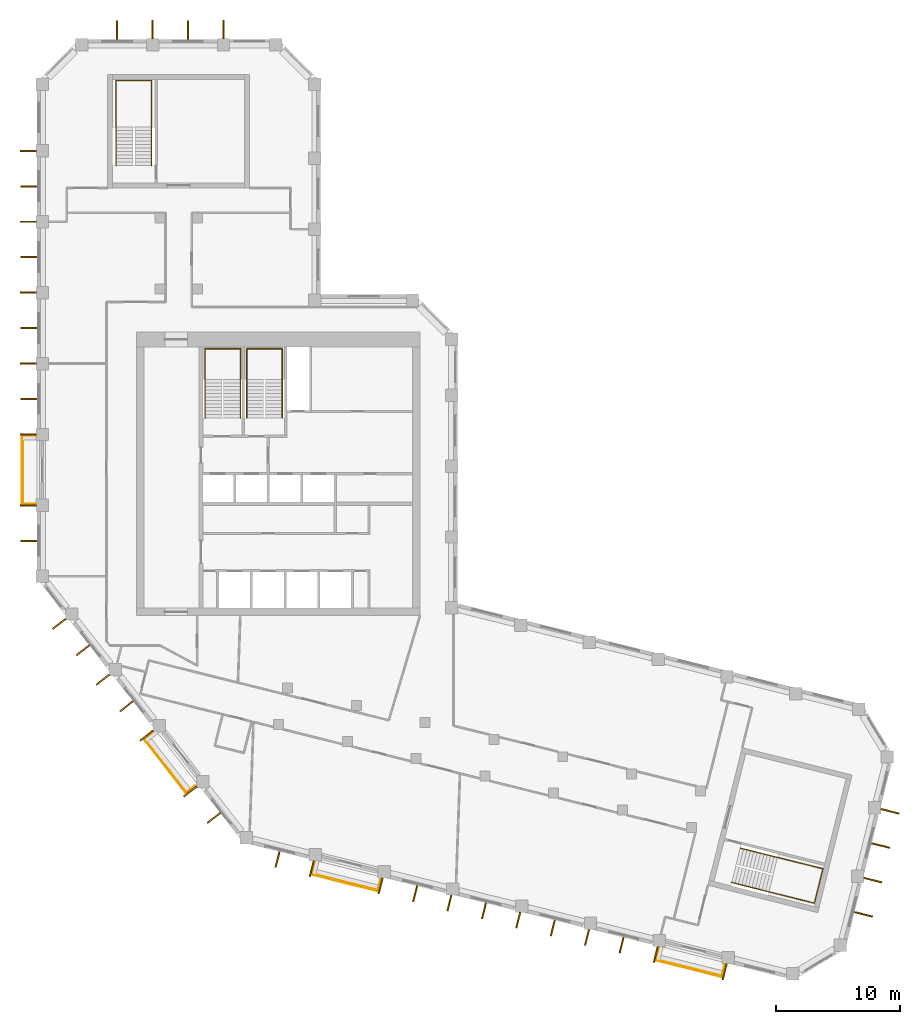
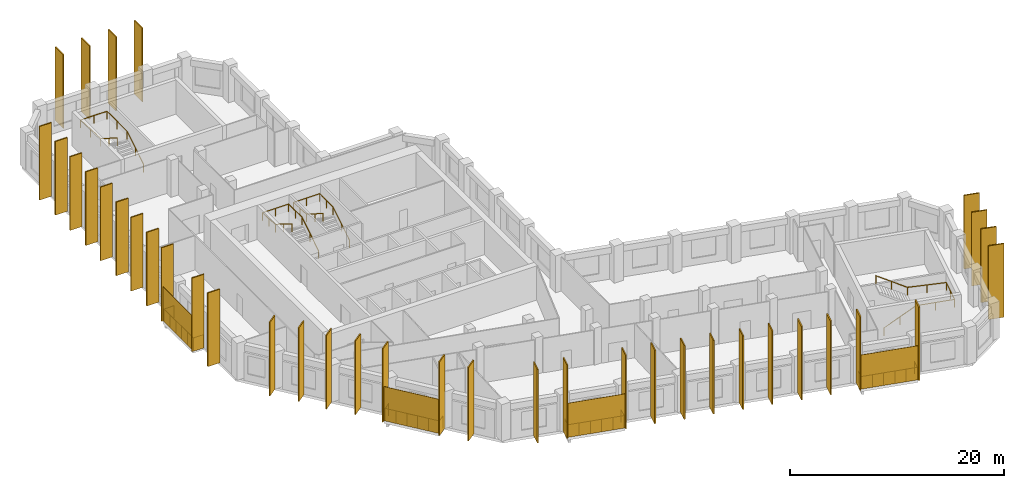
# One storey, part 9 of 9: 42 shading devices, 8 railings.
"""IFC4 building model written with IfcOpenShell, lengths in metres."""

from ifc_helpers import new_model, si_unit, direction, frame, origin, origin_2d, place, context, subcontext, project, spatial, rectangle, circle, extrude, material, layer, layer_set, type_object, element, save


model = new_model("IFC4")

# Units and contexts
model_context = context("Model", 3, precision=1e-05, world=origin(), true_north=direction((0.0, 1.0)))
body_context = subcontext(model_context, "Body", "Model", "MODEL_VIEW")
ifc_project = project(units=[si_unit("LENGTHUNIT", "METRE"), si_unit("AREAUNIT", "SQUARE_METRE"), si_unit("VOLUMEUNIT", "CUBIC_METRE"), si_unit("PLANEANGLEUNIT", "RADIAN"), si_unit("MASSUNIT", "GRAM", prefix="KILO")], contexts=[model_context])

# Site, building, storey
site_placement = place(None, origin())
site = spatial("IfcSite", under=ifc_project, at=site_placement, CompositionType="ELEMENT")
building_placement = place(site_placement, origin())
building = spatial("IfcBuilding", under=site, at=building_placement, Name="Meshkara Civic Tower", CompositionType="ELEMENT")
storey_placement = place(building_placement, frame((0.0, 0.0, 340.199951171875)))
storey = spatial("IfcBuildingStorey", under=building, at=storey_placement, Name="L78", CompositionType="ELEMENT", Elevation=340.199951171875)

# Railings
ifc_material_1 = material(Name="Steel S355", Category="steel")
railing_type_1 = type_object("IfcRailingType", Name="BALUSTRADE GUARD 1400", PredefinedType="BALUSTRADE", material=ifc_material_1)
railing_1_placement = place(storey_placement, frame((-0.050048828125, 28.534912109375, 0.0)))
element("IfcRailing", 1, at=railing_1_placement, inside=storey, type_object=railing_type_1, Name="Balcony guard", PredefinedType="BALUSTRADE", context=body_context, shape_type="SweptSolid", body=[
    extrude(circle(Radius=0.02392578125, at=origin_2d()), frame((0.0, 0.0, 1.3759765625), z_axis=(-1.0, 0.0, 0.0), x_axis=(0.0, -1.0, 0.0)), (0.0, 0.0, 1.0), 1.06005859375),
    extrude(circle(Radius=0.02392578125, at=origin_2d()), frame((-1.06005859375, 0.0, 1.3759765625), z_axis=(0.0, -1.0, 0.0), x_axis=(1.0, 0.0, 0.0)), (0.0, 0.0, 1.0), 5.4599609375),
    extrude(circle(Radius=0.02392578125, at=origin_2d()), frame((-1.06005859375, -5.4599609375, 1.3759765625), z_axis=(1.0, 0.0, 0.0), x_axis=(0.0, 1.0, 0.0)), (0.0, 0.0, 1.0), 1.06005859375),
    extrude(circle(Radius=0.02099609375, at=origin_2d()), origin(), (0.0, 0.0, 1.0), 1.351806640625),
    extrude(circle(Radius=0.02099609375, at=origin_2d()), frame((-1.06005859375, 0.0, 0.0)), (0.0, 0.0, 1.0), 1.351806640625),
    extrude(circle(Radius=0.02099609375, at=origin_2d()), frame((-1.06005859375, -1.092041015625, 0.0)), (0.0, 0.0, 1.0), 1.351806640625),
    extrude(circle(Radius=0.02099609375, at=origin_2d()), frame((-1.06005859375, -2.18408203125, 0.0)), (0.0, 0.0, 1.0), 1.351806640625),
    extrude(circle(Radius=0.02099609375, at=origin_2d()), frame((-1.06005859375, -3.27587890625, 0.0)), (0.0, 0.0, 1.0), 1.351806640625),
    extrude(circle(Radius=0.02099609375, at=origin_2d()), frame((-1.06005859375, -4.367919921875, 0.0)), (0.0, 0.0, 1.0), 1.351806640625),
    extrude(circle(Radius=0.02099609375, at=origin_2d()), frame((-1.06005859375, -5.4599609375, 0.0)), (0.0, 0.0, 1.0), 1.351806640625),
    extrude(circle(Radius=0.02099609375, at=origin_2d()), frame((0.0, -5.4599609375, 0.0)), (0.0, 0.0, 1.0), 1.351806640625),
])
railing_2_placement = place(storey_placement, frame((9.35400390625, 4.718017578125, 0.0)))
element("IfcRailing", 2, at=railing_2_placement, inside=storey, type_object=railing_type_1, Name="Balcony guard", PredefinedType="BALUSTRADE", context=body_context, shape_type="SweptSolid", body=[
    extrude(circle(Radius=0.02392578125, at=origin_2d()), frame((0.0, 0.0, 1.3759765625), z_axis=(-0.788063205069, -0.61559433462, 0.0), x_axis=(0.61559433462, -0.788063205069, 0.0)), (0.0, 0.0, 1.0), 0.85791015625),
    extrude(circle(Radius=0.02392578125, at=origin_2d()), frame((-0.676025390625, -0.528076171875, 1.3759765625), z_axis=(0.615660530481, -0.788011491799, 0.0), x_axis=(0.788011491799, 0.615660530481, 0.0)), (0.0, 0.0, 1.0), 5.459228515625),
    extrude(circle(Radius=0.02392578125, at=origin_2d()), frame((2.68505859375, -4.830078125, 1.3759765625), z_axis=(0.788063205069, 0.61559433462, 0.0), x_axis=(-0.61559433462, 0.788063205069, 0.0)), (0.0, 0.0, 1.0), 0.85791015625),
    extrude(circle(Radius=0.02099609375, at=origin_2d()), origin(), (0.0, 0.0, 1.0), 1.351806640625),
    extrude(circle(Radius=0.02099609375, at=origin_2d()), frame((-0.676025390625, -0.528076171875, 0.0)), (0.0, 0.0, 1.0), 1.351806640625),
    extrude(circle(Radius=0.02099609375, at=origin_2d()), frame((-0.00390625, -1.388427734375, 0.0)), (0.0, 0.0, 1.0), 1.351806640625),
    extrude(circle(Radius=0.02099609375, at=origin_2d()), frame((0.66845703125, -2.248779296875, 0.0)), (0.0, 0.0, 1.0), 1.351806640625),
    extrude(circle(Radius=0.02099609375, at=origin_2d()), frame((1.340576171875, -3.109375, 0.0)), (0.0, 0.0, 1.0), 1.351806640625),
    extrude(circle(Radius=0.02099609375, at=origin_2d()), frame((2.012939453125, -3.9697265625, 0.0)), (0.0, 0.0, 1.0), 1.351806640625),
    extrude(circle(Radius=0.02099609375, at=origin_2d()), frame((2.68505859375, -4.830078125, 0.0)), (0.0, 0.0, 1.0), 1.351806640625),
    extrude(circle(Radius=0.02099609375, at=origin_2d()), frame((3.361083984375, -4.302001953125, 0.0)), (0.0, 0.0, 1.0), 1.351806640625),
])
railing_3_placement = place(storey_placement, frame((22.35205078125, -5.73388671875, 0.0)))
element("IfcRailing", 3, at=railing_3_placement, inside=storey, type_object=railing_type_1, Name="Balcony guard", PredefinedType="BALUSTRADE", context=body_context, shape_type="SweptSolid", body=[
    extrude(circle(Radius=0.02392578125, at=origin_2d()), frame((0.0, 0.0, 1.3759765625), z_axis=(-0.241993877266, -0.970277776395, 0.0), x_axis=(0.970277776395, -0.241993877266, 0.0)), (0.0, 0.0, 1.0), 0.954345703125),
    extrude(circle(Radius=0.02392578125, at=origin_2d()), frame((-0.23095703125, -0.926025390625, 1.3759765625), z_axis=(0.970321130255, -0.241819983006, 0.0), x_axis=(0.241819983006, 0.970321130255, 0.0)), (0.0, 0.0, 1.0), 5.458984375),
    extrude(circle(Radius=0.02392578125, at=origin_2d()), frame((5.06591796875, -2.24609375, 1.3759765625), z_axis=(0.242234364289, 0.970217765637, 0.0), x_axis=(-0.970217765637, 0.242234364289, 0.0)), (0.0, 0.0, 1.0), 0.953369140625),
    extrude(circle(Radius=0.02099609375, at=origin_2d()), origin(), (0.0, 0.0, 1.0), 1.351806640625),
    extrude(circle(Radius=0.02099609375, at=origin_2d()), frame((-0.23095703125, -0.926025390625, 0.0)), (0.0, 0.0, 1.0), 1.351806640625),
    extrude(circle(Radius=0.02099609375, at=origin_2d()), frame((0.828369140625, -1.18994140625, 0.0)), (0.0, 0.0, 1.0), 1.351806640625),
    extrude(circle(Radius=0.02099609375, at=origin_2d()), frame((1.8876953125, -1.4541015625, 0.0)), (0.0, 0.0, 1.0), 1.351806640625),
    extrude(circle(Radius=0.02099609375, at=origin_2d()), frame((2.947265625, -1.718017578125, 0.0)), (0.0, 0.0, 1.0), 1.351806640625),
    extrude(circle(Radius=0.02099609375, at=origin_2d()), frame((4.006591796875, -1.982177734375, 0.0)), (0.0, 0.0, 1.0), 1.351806640625),
    extrude(circle(Radius=0.02099609375, at=origin_2d()), frame((5.06591796875, -2.24609375, 0.0)), (0.0, 0.0, 1.0), 1.351806640625),
    extrude(circle(Radius=0.02099609375, at=origin_2d()), frame((5.296875, -1.321044921875, 0.0)), (0.0, 0.0, 1.0), 1.351806640625),
])
railing_4_placement = place(storey_placement, frame((50.0048828125, -12.62890625, 0.0)))
element("IfcRailing", 4, at=railing_4_placement, inside=storey, type_object=railing_type_1, Name="Balcony guard", PredefinedType="BALUSTRADE", context=body_context, shape_type="SweptSolid", body=[
    extrude(circle(Radius=0.02392578125, at=origin_2d()), frame((0.0, 0.0, 1.3759765625), z_axis=(-0.242234364289, -0.970217765637, 0.0), x_axis=(0.970217765637, -0.242234364289, 0.0)), (0.0, 0.0, 1.0), 0.953369140625),
    extrude(circle(Radius=0.02392578125, at=origin_2d()), frame((-0.23095703125, -0.925048828125, 1.3759765625), z_axis=(0.970292231073, -0.24193591366, 0.0), x_axis=(0.24193591366, 0.970292231073, 0.0)), (0.0, 0.0, 1.0), 5.460205078125),
    extrude(circle(Radius=0.02392578125, at=origin_2d()), frame((5.067138671875, -2.24609375, 1.3759765625), z_axis=(0.242234364289, 0.970217765637, 0.0), x_axis=(-0.970217765637, 0.242234364289, 0.0)), (0.0, 0.0, 1.0), 0.953369140625),
    extrude(circle(Radius=0.02099609375, at=origin_2d()), origin(), (0.0, 0.0, 1.0), 1.351806640625),
    extrude(circle(Radius=0.02099609375, at=origin_2d()), frame((-0.23095703125, -0.925048828125, 0.0)), (0.0, 0.0, 1.0), 1.351806640625),
    extrude(circle(Radius=0.02099609375, at=origin_2d()), frame((0.82861328125, -1.189208984375, 0.0)), (0.0, 0.0, 1.0), 1.351806640625),
    extrude(circle(Radius=0.02099609375, at=origin_2d()), frame((1.88818359375, -1.453369140625, 0.0)), (0.0, 0.0, 1.0), 1.351806640625),
    extrude(circle(Radius=0.02099609375, at=origin_2d()), frame((2.947998046875, -1.7177734375, 0.0)), (0.0, 0.0, 1.0), 1.351806640625),
    extrude(circle(Radius=0.02099609375, at=origin_2d()), frame((4.007568359375, -1.98193359375, 0.0)), (0.0, 0.0, 1.0), 1.351806640625),
    extrude(circle(Radius=0.02099609375, at=origin_2d()), frame((5.067138671875, -2.24609375, 0.0)), (0.0, 0.0, 1.0), 1.351806640625),
    extrude(circle(Radius=0.02099609375, at=origin_2d()), frame((5.298095703125, -1.321044921875, 0.0)), (0.0, 0.0, 1.0), 1.351806640625),
])

# Shading devices
ifc_material_2 = material(Name="Bronze anodised aluminium", Category="aluminium")
ifc_layer_1 = layer(ifc_material_2, 0.1201171875)
ifc_layer_set_1 = layer_set([ifc_layer_1], Name="BRONZE FIN 1300")
shading_device_type_1 = type_object("IfcShadingDeviceType", Name="BRONZE FIN 1300", PredefinedType="USERDEFINED", material=ifc_layer_set_1)
for number, where, z_axis, x_axis, name in (
    (5, (-0.699951171875, 51.455078125, 0.0), (0.0, 0.0, 1.0), (0.0, -1.0, 0.0), "Fin"),
    (6, (-0.64990234375, 48.60498046875, 0.0), (0.0, 0.0, 1.0), (0.0, -1.0, 0.0), "Fin"),
    (7, (-0.699951171875, 45.7548828125, 0.0), (0.0, 0.0, 1.0), (0.0, -1.0, 0.0), "Fin"),
    (8, (-0.64990234375, 42.905029296875, 0.0), (0.0, 0.0, 1.0), (0.0, -1.0, 0.0), "Fin"),
    (9, (-0.699951171875, 40.054931640625, 0.0), (0.0, 0.0, 1.0), (0.0, -1.0, 0.0), "Fin"),
    (10, (-0.64990234375, 37.205078125, 0.0), (0.0, 0.0, 1.0), (0.0, -1.0, 0.0), "Fin"),
    (11, (-0.699951171875, 34.35498046875, 0.0), (0.0, 0.0, 1.0), (0.0, -1.0, 0.0), "Fin"),
    (12, (-0.64990234375, 31.5048828125, 0.0), (0.0, 0.0, 1.0), (0.0, -1.0, 0.0), "Fin"),
    (13, (-0.699951171875, 28.655029296875, 0.0), (0.0, 0.0, 1.0), (0.0, -1.0, 0.0), "Fin"),
    (14, (-0.699951171875, 22.955078125, 0.0), (0.0, 0.0, 1.0), (0.0, -1.0, 0.0), "Fin"),
    (15, (-0.64990234375, 20.10498046875, 0.0), (0.0, 0.0, 1.0), (0.0, -1.0, 0.0), "Fin"),
    (16, (1.802001953125, 13.43798828125, 0.0), (0.0, 0.0, 1.0), (0.615661475326, -0.788010753607, 0.0), "Fin"),
    (17, (3.701904296875, 11.305908203125, 0.0), (0.0, 0.0, 1.0), (0.615661475326, -0.788010753607, 0.0), "Fin"),
    (18, (5.31103515625, 8.946044921875, 0.0), (0.0, 0.0, 1.0), (0.615661475326, -0.788010753607, 0.0), "Fin"),
    (19, (7.2109375, 6.81396484375, 0.0), (0.0, 0.0, 1.0), (0.615661475326, -0.788010753607, 0.0), "Fin"),
    (20, (8.821044921875, 4.4541015625, 0.0), (0.0, 0.0, 1.0), (0.615661475326, -0.788010753607, 0.0), "Fin"),
    (21, (12.330078125, -0.037109375, 0.0), (0.0, 0.0, 1.0), (0.615661475326, -0.788010753607, 0.0), "Fin"),
    (22, (14.22998046875, -2.1689453125, 0.0), (0.0, 0.0, 1.0), (0.615661475326, -0.788010753607, 0.0), "Fin"),
    (23, (19.35009765625, -5.4951171875, 0.0), (0.0, 0.0, 1.0), (0.970295726276, -0.2419218956, 0.0), "Fin"),
    (24, (22.10009765625, -6.248046875, 0.0), (0.0, 0.0, 1.0), (0.970295726276, -0.2419218956, 0.0), "Fin"),
    (25, (27.6298828125, -7.626953125, 0.0), (0.0, 0.0, 1.0), (0.970295726276, -0.2419218956, 0.0), "Fin"),
    (26, (30.410888671875, -8.2529296875, 0.0), (0.0, 0.0, 1.0), (0.970295726276, -0.2419218956, 0.0), "Fin"),
    (27, (33.160888671875, -9.006103515625, 0.0), (0.0, 0.0, 1.0), (0.970295726276, -0.2419218956, 0.0), "Fin"),
    (28, (35.94189453125, -9.632080078125, 0.0), (0.0, 0.0, 1.0), (0.970295726276, -0.2419218956, 0.0), "Fin"),
    (29, (38.69189453125, -10.385009765625, 0.0), (0.0, 0.0, 1.0), (0.970295726276, -0.2419218956, 0.0), "Fin"),
    (30, (41.472900390625, -11.010986328125, 0.0), (0.0, 0.0, 1.0), (0.970295726276, -0.2419218956, 0.0), "Fin"),
    (31, (44.221923828125, -11.763916015625, 0.0), (0.0, 0.0, 1.0), (0.970295726276, -0.2419218956, 0.0), "Fin"),
    (32, (47.0029296875, -12.388916015625, 0.0), (0.0, 0.0, 1.0), (0.970295726276, -0.2419218956, 0.0), "Fin"),
    (33, (49.7529296875, -13.14306640625, 0.0), (0.0, 0.0, 1.0), (0.970295726276, -0.2419218956, 0.0), "Fin"),
    (34, (55.283935546875, -14.52099609375, 0.0), (0.0, 0.0, 1.0), (0.970295726276, -0.2419218956, 0.0), "Fin"),
):
    element("IfcShadingDevice", number, at=place(storey_placement, frame(where, z_axis=z_axis, x_axis=x_axis)), inside=storey, type_object=shading_device_type_1, Name=name, ObjectType="FIN", PredefinedType="USERDEFINED", context=body_context, shape_type="SweptSolid", body=[
        extrude(rectangle(XDim=0.1201171875, YDim=1.300048828125, at=origin_2d()), origin(), (0.0, 0.0, 1.0), 8.39990234375),
    ])
ifc_material_3 = material(Name="Bronze anodised aluminium", Category="aluminium")
ifc_layer_2 = layer(ifc_material_3, 0.1201171875)
ifc_layer_set_2 = layer_set([ifc_layer_2], Name="BRONZE FIN 1500")
shading_device_type_2 = type_object("IfcShadingDeviceType", Name="BRONZE FIN 1500", PredefinedType="USERDEFINED", material=ifc_layer_set_2)
for number, where, z_axis, x_axis, name in (
    (35, (15.006103515625, 61.219970703125, 0.0), (0.0, 0.0, 1.0), (-1.0, 0.0, 0.0), "Fin"),
    (36, (12.156005859375, 61.169921875, 0.0), (0.0, 0.0, 1.0), (-1.0, 0.0, 0.0), "Fin"),
    (37, (9.305908203125, 61.219970703125, 0.0), (0.0, 0.0, 1.0), (-1.0, 0.0, 0.0), "Fin"),
    (38, (6.4560546875, 61.169921875, 0.0), (0.0, 0.0, 1.0), (-1.0, 0.0, 0.0), "Fin"),
    (39, (66.445068359375, -9.912109375, 0.0), (0.0, 0.0, 1.0), (0.241938830418, 0.970291503795, 0.0), "Fin"),
    (40, (67.197998046875, -7.162109375, 0.0), (0.0, 0.0, 1.0), (0.241938830418, 0.970291503795, 0.0), "Fin"),
    (41, (67.823974609375, -4.381103515625, 0.0), (0.0, 0.0, 1.0), (0.241938830418, 0.970291503795, 0.0), "Fin"),
    (42, (68.576904296875, -1.632080078125, 0.0), (0.0, 0.0, 1.0), (0.241938830418, 0.970291503795, 0.0), "Fin"),
):
    element("IfcShadingDevice", number, at=place(storey_placement, frame(where, z_axis=z_axis, x_axis=x_axis)), inside=storey, type_object=shading_device_type_2, Name=name, ObjectType="FIN", PredefinedType="USERDEFINED", context=body_context, shape_type="SweptSolid", body=[
        extrude(rectangle(XDim=0.1201171875, YDim=1.5, at=origin_2d()), origin(), (0.0, 0.0, 1.0), 8.39990234375),
    ])
ifc_material_4 = material(Name="Perforated bronze anodised aluminium sheet", Category="aluminium")
ifc_layer_3 = layer(ifc_material_4, 0.0400390625)
ifc_layer_set_3 = layer_set([ifc_layer_3], Name="PERFORATED BRONZE SCREEN")
shading_device_type_3 = type_object("IfcShadingDeviceType", Name="PERFORATED BRONZE SCREEN", PredefinedType="USERDEFINED", material=ifc_layer_set_3)
shading_device_1_placement = place(storey_placement, frame((-1.179931640625, 25.804931640625, 0.0), z_axis=(0.0, 0.0, 1.0), x_axis=(0.0, -1.0, 0.0)))
element("IfcShadingDevice", 43, at=shading_device_1_placement, inside=storey, type_object=shading_device_type_3, Name="Balcony screen", ObjectType="SCREEN", PredefinedType="USERDEFINED", context=body_context, shape_type="SweptSolid", body=[
    extrude(rectangle(XDim=5.580078125, YDim=0.0400390625, at=origin_2d()), origin(), (0.0, 0.0, 1.0), 3.89990234375),
])
for number, where, z_axis, x_axis, name in (
    (44, (10.302978515625, 1.99609375, 0.0), (0.0, 0.0, 1.0), (0.615661475326, -0.788010753607, 0.0), "Balcony screen"),
    (45, (24.7529296875, -7.387939453125, 0.0), (0.0, 0.0, 1.0), (0.970295726276, -0.2419218956, 0.0), "Balcony screen"),
):
    element("IfcShadingDevice", number, at=place(storey_placement, frame(where, z_axis=z_axis, x_axis=x_axis)), inside=storey, type_object=shading_device_type_3, Name=name, ObjectType="SCREEN", PredefinedType="USERDEFINED", context=body_context, shape_type="SweptSolid", body=[
        extrude(rectangle(XDim=5.5791015625, YDim=0.0400390625, at=origin_2d()), origin(), (0.0, 0.0, 1.0), 3.89990234375),
    ])
shading_device_2_placement = place(storey_placement, frame((52.406005859375, -14.282958984375, 0.0), z_axis=(0.0, 0.0, 1.0), x_axis=(0.970295726276, -0.2419218956, 0.0)))
element("IfcShadingDevice", 46, at=shading_device_2_placement, inside=storey, type_object=shading_device_type_3, Name="Balcony screen", ObjectType="SCREEN", PredefinedType="USERDEFINED", context=body_context, shape_type="SweptSolid", body=[
    extrude(rectangle(XDim=5.580078125, YDim=0.0400390625, at=origin_2d()), origin(), (0.0, 0.0, 1.0), 3.89990234375),
])

# Railings
ifc_material_5 = material(Name="Steel handrail", Category="steel")
railing_type_2 = type_object("IfcRailingType", Name="Stair handrail 900", PredefinedType="HANDRAIL", material=ifc_material_5)
railing_5_placement = place(storey_placement, frame((16.375, 30.0, 0.175048828125)))
element("IfcRailing", 47, at=railing_5_placement, inside=storey, type_object=railing_type_2, Name="L78 ST1 stair handrail 1", PredefinedType="HANDRAIL", context=body_context, shape_type="SweptSolid", body=[
    extrude(circle(Radius=0.02392578125, at=origin_2d()), frame((0.0, 0.0, 0.8759765625), z_axis=(0.0, 0.847998304005, 0.529998940003), x_axis=(-1.0, 0.0, 0.0)), (0.0, 0.0, 1.0), 3.632080078125),
    extrude(circle(Radius=0.02392578125, at=origin_2d()), frame((0.0, 3.080078125, 2.80078125), z_axis=(0.0, 1.0, 0.0), x_axis=(-1.0, 0.0, 0.0)), (0.0, 0.0, 1.0), 2.469970703125),
    extrude(circle(Radius=0.02392578125, at=origin_2d()), frame((0.0, 5.550048828125, 2.80078125), z_axis=(-1.0, 0.0, 0.0), x_axis=(0.0, -1.0, 0.0)), (0.0, 0.0, 1.0), 2.85009765625),
    extrude(circle(Radius=0.02392578125, at=origin_2d()), frame((-2.85009765625, 5.550048828125, 2.80078125), z_axis=(0.0, -0.997498084828, 0.070693498747), x_axis=(1.0, 0.0, 0.0)), (0.0, 0.0, 1.0), 2.47607421875),
    extrude(circle(Radius=0.02392578125, at=origin_2d()), frame((-2.85009765625, 3.080078125, 2.97607421875), z_axis=(0.0, -0.848028513186, 0.529950602248), x_axis=(1.0, 0.0, 0.0)), (0.0, 0.0, 1.0), 3.632080078125),
    extrude(circle(Radius=0.02099609375, at=origin_2d()), origin(), (0.0, 0.0, 1.0), 0.851806640625),
    extrude(circle(Radius=0.02099609375, at=origin_2d()), frame((0.0, 1.5400390625, 0.96240234375)), (0.0, 0.0, 1.0), 0.851806640625),
    extrude(circle(Radius=0.02099609375, at=origin_2d()), frame((0.0, 3.080078125, 1.925048828125)), (0.0, 0.0, 1.0), 0.851806640625),
    extrude(circle(Radius=0.02099609375, at=origin_2d()), frame((0.0, 4.31494140625, 1.925048828125)), (0.0, 0.0, 1.0), 0.851806640625),
    extrude(circle(Radius=0.02099609375, at=origin_2d()), frame((0.0, 5.550048828125, 1.925048828125)), (0.0, 0.0, 1.0), 0.851806640625),
    extrude(circle(Radius=0.02099609375, at=origin_2d()), frame((-1.425048828125, 5.550048828125, 1.925048828125)), (0.0, 0.0, 1.0), 0.851806640625),
    extrude(circle(Radius=0.02099609375, at=origin_2d()), frame((-2.85009765625, 5.550048828125, 1.925048828125)), (0.0, 0.0, 1.0), 0.851806640625),
    extrude(circle(Radius=0.02099609375, at=origin_2d()), frame((-2.85009765625, 4.31494140625, 2.0126953125)), (0.0, 0.0, 1.0), 0.851806640625),
    extrude(circle(Radius=0.02099609375, at=origin_2d()), frame((-2.85009765625, 3.080078125, 2.10009765625)), (0.0, 0.0, 1.0), 0.851806640625),
    extrude(circle(Radius=0.02099609375, at=origin_2d()), frame((-2.85009765625, 1.5400390625, 3.0625)), (0.0, 0.0, 1.0), 0.851806640625),
    extrude(circle(Radius=0.02099609375, at=origin_2d()), frame((-2.85009765625, 0.0, 4.02490234375)), (0.0, 0.0, 1.0), 0.851806640625),
])
railing_6_placement = place(storey_placement, frame((19.72509765625, 30.0, 0.175048828125)))
element("IfcRailing", 48, at=railing_6_placement, inside=storey, type_object=railing_type_2, Name="L78 ST2 stair handrail 1", PredefinedType="HANDRAIL", context=body_context, shape_type="SweptSolid", body=[
    extrude(circle(Radius=0.02392578125, at=origin_2d()), frame((0.0, 0.0, 0.8759765625), z_axis=(0.0, 0.847998304005, 0.529998940003), x_axis=(-1.0, 0.0, 0.0)), (0.0, 0.0, 1.0), 3.632080078125),
    extrude(circle(Radius=0.02392578125, at=origin_2d()), frame((0.0, 3.080078125, 2.80078125), z_axis=(0.0, 1.0, 0.0), x_axis=(-1.0, 0.0, 0.0)), (0.0, 0.0, 1.0), 2.469970703125),
    extrude(circle(Radius=0.02392578125, at=origin_2d()), frame((0.0, 5.550048828125, 2.80078125), z_axis=(-1.0, 0.0, 0.0), x_axis=(0.0, -1.0, 0.0)), (0.0, 0.0, 1.0), 2.85009765625),
    extrude(circle(Radius=0.02392578125, at=origin_2d()), frame((-2.85009765625, 5.550048828125, 2.80078125), z_axis=(0.0, -0.997498084828, 0.070693498747), x_axis=(1.0, 0.0, 0.0)), (0.0, 0.0, 1.0), 2.47607421875),
    extrude(circle(Radius=0.02392578125, at=origin_2d()), frame((-2.85009765625, 3.080078125, 2.97607421875), z_axis=(0.0, -0.848028513186, 0.529950602248), x_axis=(1.0, 0.0, 0.0)), (0.0, 0.0, 1.0), 3.632080078125),
    extrude(circle(Radius=0.02099609375, at=origin_2d()), origin(), (0.0, 0.0, 1.0), 0.851806640625),
    extrude(circle(Radius=0.02099609375, at=origin_2d()), frame((0.0, 1.5400390625, 0.96240234375)), (0.0, 0.0, 1.0), 0.851806640625),
    extrude(circle(Radius=0.02099609375, at=origin_2d()), frame((0.0, 3.080078125, 1.925048828125)), (0.0, 0.0, 1.0), 0.851806640625),
    extrude(circle(Radius=0.02099609375, at=origin_2d()), frame((0.0, 4.31494140625, 1.925048828125)), (0.0, 0.0, 1.0), 0.851806640625),
    extrude(circle(Radius=0.02099609375, at=origin_2d()), frame((0.0, 5.550048828125, 1.925048828125)), (0.0, 0.0, 1.0), 0.851806640625),
    extrude(circle(Radius=0.02099609375, at=origin_2d()), frame((-1.425048828125, 5.550048828125, 1.925048828125)), (0.0, 0.0, 1.0), 0.851806640625),
    extrude(circle(Radius=0.02099609375, at=origin_2d()), frame((-2.85009765625, 5.550048828125, 1.925048828125)), (0.0, 0.0, 1.0), 0.851806640625),
    extrude(circle(Radius=0.02099609375, at=origin_2d()), frame((-2.85009765625, 4.31494140625, 2.0126953125)), (0.0, 0.0, 1.0), 0.851806640625),
    extrude(circle(Radius=0.02099609375, at=origin_2d()), frame((-2.85009765625, 3.080078125, 2.10009765625)), (0.0, 0.0, 1.0), 0.851806640625),
    extrude(circle(Radius=0.02099609375, at=origin_2d()), frame((-2.85009765625, 1.5400390625, 3.0625)), (0.0, 0.0, 1.0), 0.851806640625),
    extrude(circle(Radius=0.02099609375, at=origin_2d()), frame((-2.85009765625, 0.0, 4.02490234375)), (0.0, 0.0, 1.0), 0.851806640625),
])
railing_7_placement = place(storey_placement, frame((9.22509765625, 50.27001953125, 0.175048828125)))
element("IfcRailing", 49, at=railing_7_placement, inside=storey, type_object=railing_type_2, Name="L78 ESA5 stair handrail 1", PredefinedType="HANDRAIL", context=body_context, shape_type="SweptSolid", body=[
    extrude(circle(Radius=0.02392578125, at=origin_2d()), frame((0.0, 0.0, 0.8759765625), z_axis=(0.0, 0.847998304005, 0.529998940003), x_axis=(-1.0, 0.0, 0.0)), (0.0, 0.0, 1.0), 3.632080078125),
    extrude(circle(Radius=0.02392578125, at=origin_2d()), frame((0.0, 3.080078125, 2.80078125), z_axis=(0.0, 1.0, 0.0), x_axis=(-1.0, 0.0, 0.0)), (0.0, 0.0, 1.0), 3.77001953125),
    extrude(circle(Radius=0.02392578125, at=origin_2d()), frame((0.0, 6.85009765625, 2.80078125), z_axis=(-1.0, 0.0, 0.0), x_axis=(0.0, -1.0, 0.0)), (0.0, 0.0, 1.0), 2.85009765625),
    extrude(circle(Radius=0.02392578125, at=origin_2d()), frame((-2.85009765625, 6.85009765625, 2.80078125), z_axis=(0.0, -0.9989237834, 0.046381838667), x_axis=(1.0, 0.0, 0.0)), (0.0, 0.0, 1.0), 3.774169921875),
    extrude(circle(Radius=0.02392578125, at=origin_2d()), frame((-2.85009765625, 3.080078125, 2.97607421875), z_axis=(0.0, -0.848028513186, 0.529950602248), x_axis=(1.0, 0.0, 0.0)), (0.0, 0.0, 1.0), 3.632080078125),
    extrude(circle(Radius=0.02099609375, at=origin_2d()), origin(), (0.0, 0.0, 1.0), 0.851806640625),
    extrude(circle(Radius=0.02099609375, at=origin_2d()), frame((0.0, 1.5400390625, 0.96240234375)), (0.0, 0.0, 1.0), 0.851806640625),
    extrude(circle(Radius=0.02099609375, at=origin_2d()), frame((0.0, 3.080078125, 1.925048828125)), (0.0, 0.0, 1.0), 0.851806640625),
    extrude(circle(Radius=0.02099609375, at=origin_2d()), frame((0.0, 4.965087890625, 1.925048828125)), (0.0, 0.0, 1.0), 0.851806640625),
    extrude(circle(Radius=0.02099609375, at=origin_2d()), frame((0.0, 6.85009765625, 1.925048828125)), (0.0, 0.0, 1.0), 0.851806640625),
    extrude(circle(Radius=0.02099609375, at=origin_2d()), frame((-1.425048828125, 6.85009765625, 1.925048828125)), (0.0, 0.0, 1.0), 0.851806640625),
    extrude(circle(Radius=0.02099609375, at=origin_2d()), frame((-2.85009765625, 6.85009765625, 1.925048828125)), (0.0, 0.0, 1.0), 0.851806640625),
    extrude(circle(Radius=0.02099609375, at=origin_2d()), frame((-2.85009765625, 4.965087890625, 2.0126953125)), (0.0, 0.0, 1.0), 0.851806640625),
    extrude(circle(Radius=0.02099609375, at=origin_2d()), frame((-2.85009765625, 3.080078125, 2.10009765625)), (0.0, 0.0, 1.0), 0.851806640625),
    extrude(circle(Radius=0.02099609375, at=origin_2d()), frame((-2.85009765625, 1.5400390625, 3.0625)), (0.0, 0.0, 1.0), 0.851806640625),
    extrude(circle(Radius=0.02099609375, at=origin_2d()), frame((-2.85009765625, 0.0, 4.02490234375)), (0.0, 0.0, 1.0), 0.851806640625),
])
railing_8_placement = place(storey_placement, frame((55.849365234375, -7.3544921875, 0.175048828125)))
element("IfcRailing", 50, at=railing_8_placement, inside=storey, type_object=railing_type_2, Name="L78 ESB5 stair handrail 1", PredefinedType="HANDRAIL", context=body_context, shape_type="SweptSolid", body=[
    extrude(circle(Radius=0.02392578125, at=origin_2d()), frame((0.0, 0.0, 0.8759765625), z_axis=(0.822781968105, -0.205275396666, 0.529992306062), x_axis=(0.242069343812, 0.970258951408, 0.0)), (0.0, 0.0, 1.0), 3.63232421875),
    extrude(circle(Radius=0.02392578125, at=origin_2d()), frame((2.988525390625, -0.74560546875, 2.80078125), z_axis=(0.970256677427, -0.242078458165, 0.0), x_axis=(0.242078458165, 0.970256677427, 0.0)), (0.0, 0.0, 1.0), 3.769775390625),
    extrude(circle(Radius=0.02392578125, at=origin_2d()), frame((6.646240234375, -1.658203125, 2.80078125), z_axis=(0.242072031574, 0.970258280835, 0.0), x_axis=(-0.970258280835, 0.242072031574, 0.0)), (0.0, 0.0, 1.0), 2.85009765625),
    extrude(circle(Radius=0.02392578125, at=origin_2d()), frame((7.336181640625, 1.107177734375, 2.80078125), z_axis=(-0.969216294885, 0.241802743795, 0.046381104147), x_axis=(-0.242063248025, -0.970260472221, 0.0)), (0.0, 0.0, 1.0), 3.774169921875),
    extrude(circle(Radius=0.02392578125, at=origin_2d()), frame((3.67822265625, 2.019775390625, 2.97607421875), z_axis=(-0.822800919371, 0.205229673761, 0.529980592183), x_axis=(-0.242013336109, -0.97027292302, 0.0)), (0.0, 0.0, 1.0), 3.6318359375),
    extrude(circle(Radius=0.02099609375, at=origin_2d()), origin(), (0.0, 0.0, 1.0), 0.851806640625),
    extrude(circle(Radius=0.02099609375, at=origin_2d()), frame((1.494140625, -0.372802734375, 0.96240234375)), (0.0, 0.0, 1.0), 0.851806640625),
    extrude(circle(Radius=0.02099609375, at=origin_2d()), frame((2.988525390625, -0.74560546875, 1.925048828125)), (0.0, 0.0, 1.0), 0.851806640625),
    extrude(circle(Radius=0.02099609375, at=origin_2d()), frame((4.8173828125, -1.201904296875, 1.925048828125)), (0.0, 0.0, 1.0), 0.851806640625),
    extrude(circle(Radius=0.02099609375, at=origin_2d()), frame((6.646240234375, -1.658203125, 1.925048828125)), (0.0, 0.0, 1.0), 0.851806640625),
    extrude(circle(Radius=0.02099609375, at=origin_2d()), frame((6.9912109375, -0.275390625, 1.925048828125)), (0.0, 0.0, 1.0), 0.851806640625),
    extrude(circle(Radius=0.02099609375, at=origin_2d()), frame((7.336181640625, 1.107177734375, 1.925048828125)), (0.0, 0.0, 1.0), 0.851806640625),
    extrude(circle(Radius=0.02099609375, at=origin_2d()), frame((5.50732421875, 1.5634765625, 2.0126953125)), (0.0, 0.0, 1.0), 0.851806640625),
    extrude(circle(Radius=0.02099609375, at=origin_2d()), frame((3.67822265625, 2.019775390625, 2.10009765625)), (0.0, 0.0, 1.0), 0.851806640625),
    extrude(circle(Radius=0.02099609375, at=origin_2d()), frame((2.18408203125, 2.392578125, 3.0625)), (0.0, 0.0, 1.0), 0.851806640625),
    extrude(circle(Radius=0.02099609375, at=origin_2d()), frame((0.68994140625, 2.76513671875, 4.02490234375)), (0.0, 0.0, 1.0), 0.851806640625),
])

save(model, "model.ifc")
